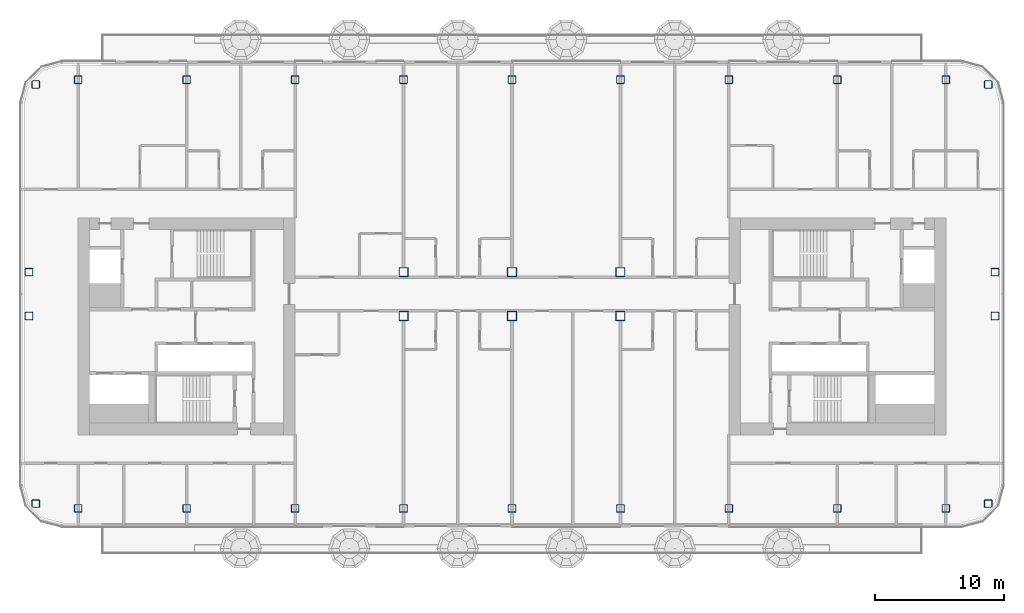
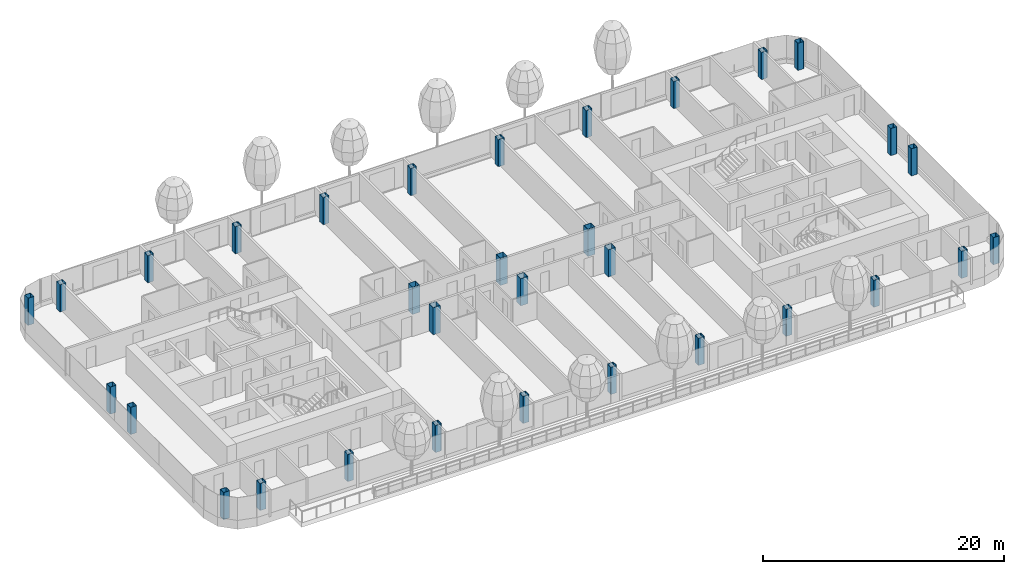
# One storey, part 1 of 28: 32 columns.
"""IFC4 building model written with IfcOpenShell, lengths in metres."""

from ifc_helpers import new_model, si_unit, direction, frame, origin, origin_2d, place, context, subcontext, project, spatial, hollow_rectangle, extrude, material, material_profile, profile_set, type_object, element, save


model = new_model("IFC4")

# Units and contexts
model_context = context("Model", 3, precision=1e-05, world=origin(), true_north=direction((0.0, 1.0)))
body_context = subcontext(model_context, "Body", "Model", "MODEL_VIEW")
ifc_project = project(units=[si_unit("LENGTHUNIT", "METRE"), si_unit("AREAUNIT", "SQUARE_METRE"), si_unit("VOLUMEUNIT", "CUBIC_METRE"), si_unit("PLANEANGLEUNIT", "RADIAN"), si_unit("MASSUNIT", "GRAM", prefix="KILO")], contexts=[model_context])

# Site, building, storey
site_placement = place(None, origin())
site = spatial("IfcSite", under=ifc_project, at=site_placement, CompositionType="ELEMENT")
building_placement = place(site_placement, origin())
building = spatial("IfcBuilding", under=site, at=building_placement, Name="Hakoniwa Tower and Hamabe Station Hall", CompositionType="ELEMENT")
storey_placement = place(building_placement, frame((0.0, 0.0, 193.0)))
storey = spatial("IfcBuildingStorey", under=building, at=storey_placement, Name="L54", CompositionType="ELEMENT", Elevation=193.0)

# Columns
ifc_material_1 = material(Name="Steel BCP325", Category="steel")
ifc_material_profile_1 = material_profile(ifc_material_1, hollow_rectangle(XDim=0.60009765625, YDim=0.60009765625, WallThickness=0.02490234375, InnerFilletRadius=0.03759765625, OuterFilletRadius=0.0625, at=origin_2d()), Name="BCP-600x600x25")
ifc_profile_set_1 = profile_set([ifc_material_profile_1], Name="Steel BCP325")
column_type_1 = type_object("IfcColumnType", Name="COLUMN BCP-600x600x25", PredefinedType="COLUMN", material=ifc_profile_set_1)
for number, where, z_axis, x_axis, name in (
    (1, (-36.877685546875, -13.728515625, 0.0), (0.0, 0.0, 1.0), (1.0, 0.0, 0.0), "Column B4-EW-A4"),
    (2, (-37.39990234375, 0.800048828125, 0.0), (0.0, 0.0, 1.0), (1.0, 0.0, 0.0), "Column B4-EW-C4"),
    (3, (-37.39990234375, 4.199951171875, 0.0), (0.0, 0.0, 1.0), (1.0, 0.0, 0.0), "Column B4-EW-D4"),
    (4, (-36.877685546875, 18.728515625, 0.0), (0.0, 0.0, 1.0), (1.0, 0.0, 0.0), "Column B4-EW-F4"),
    (5, (-33.60009765625, -14.10009765625, 0.0), (0.0, 0.0, 1.0), (1.0, 0.0, 0.0), "Column B4-3-A4"),
    (6, (-33.60009765625, 19.10009765625, 0.0), (0.0, 0.0, 1.0), (1.0, 0.0, 0.0), "Column B4-3-F4"),
    (7, (-25.199951171875, -14.10009765625, 0.0), (0.0, 0.0, 1.0), (1.0, 0.0, 0.0), "Column B4-4-A4"),
    (8, (-25.199951171875, 19.10009765625, 0.0), (0.0, 0.0, 1.0), (1.0, 0.0, 0.0), "Column B4-4-F4"),
    (9, (-16.800048828125, -14.10009765625, 0.0), (0.0, 0.0, 1.0), (1.0, 0.0, 0.0), "Column B4-5-A4"),
    (10, (-16.800048828125, 19.10009765625, 0.0), (0.0, 0.0, 1.0), (1.0, 0.0, 0.0), "Column B4-5-F4"),
    (11, (-8.39990234375, -14.10009765625, 0.0), (0.0, 0.0, 1.0), (1.0, 0.0, 0.0), "Column B4-6-A4"),
    (12, (-8.39990234375, 19.10009765625, 0.0), (0.0, 0.0, 1.0), (1.0, 0.0, 0.0), "Column B4-6-F4"),
    (13, (0.0, -14.10009765625, 0.0), (0.0, 0.0, 1.0), (1.0, 0.0, 0.0), "Column B4-7-A4"),
    (14, (0.0, 19.10009765625, 0.0), (0.0, 0.0, 1.0), (1.0, 0.0, 0.0), "Column B4-7-F4"),
    (15, (8.39990234375, -14.10009765625, 0.0), (0.0, 0.0, 1.0), (1.0, 0.0, 0.0), "Column B4-8-A4"),
    (16, (8.39990234375, 19.10009765625, 0.0), (0.0, 0.0, 1.0), (1.0, 0.0, 0.0), "Column B4-8-F4"),
    (17, (16.800048828125, -14.10009765625, 0.0), (0.0, 0.0, 1.0), (1.0, 0.0, 0.0), "Column B4-9-A4"),
    (18, (16.800048828125, 19.10009765625, 0.0), (0.0, 0.0, 1.0), (1.0, 0.0, 0.0), "Column B4-9-F4"),
    (19, (25.199951171875, -14.10009765625, 0.0), (0.0, 0.0, 1.0), (1.0, 0.0, 0.0), "Column B4-10-A4"),
    (20, (25.199951171875, 19.10009765625, 0.0), (0.0, 0.0, 1.0), (1.0, 0.0, 0.0), "Column B4-10-F4"),
    (21, (33.60009765625, -14.10009765625, 0.0), (0.0, 0.0, 1.0), (1.0, 0.0, 0.0), "Column B4-11-A4"),
    (22, (33.60009765625, 19.10009765625, 0.0), (0.0, 0.0, 1.0), (1.0, 0.0, 0.0), "Column B4-11-F4"),
    (23, (36.877685546875, -13.728515625, 0.0), (0.0, 0.0, 1.0), (1.0, 0.0, 0.0), "Column B4-EE-A4"),
    (24, (37.39990234375, 0.800048828125, 0.0), (0.0, 0.0, 1.0), (1.0, 0.0, 0.0), "Column B4-EE-C4"),
    (25, (37.39990234375, 4.199951171875, 0.0), (0.0, 0.0, 1.0), (1.0, 0.0, 0.0), "Column B4-EE-D4"),
    (26, (36.877685546875, 18.728515625, 0.0), (0.0, 0.0, 1.0), (1.0, 0.0, 0.0), "Column B4-EE-F4"),
):
    element("IfcColumn", number, at=place(storey_placement, frame(where, z_axis=z_axis, x_axis=x_axis)), inside=storey, type_object=column_type_1, Name=name, PredefinedType="COLUMN", context=body_context, shape_type="SweptSolid", body=[
        extrude(hollow_rectangle(XDim=0.60009765625, YDim=0.60009765625, WallThickness=0.02490234375, InnerFilletRadius=0.03759765625, OuterFilletRadius=0.0625, at=origin_2d()), origin(), (0.0, 0.0, 1.0), 2.75),
    ])
ifc_material_2 = material(Name="Steel SN490C", Category="steel")
ifc_material_profile_2 = material_profile(ifc_material_2, hollow_rectangle(XDim=0.699951171875, YDim=0.699951171875, WallThickness=0.028076171875, at=origin_2d()), Name="BX-700x700x28")
ifc_profile_set_2 = profile_set([ifc_material_profile_2], Name="Steel SN490C")
column_type_2 = type_object("IfcColumnType", Name="COLUMN BX-700x700x28", PredefinedType="COLUMN", material=ifc_profile_set_2)
for number, where, z_axis, x_axis, name in (
    (27, (-8.39990234375, 0.800048828125, 0.0), (0.0, 0.0, 1.0), (1.0, 0.0, 0.0), "Column B4-6-C4"),
    (28, (-8.39990234375, 4.199951171875, 0.0), (0.0, 0.0, 1.0), (1.0, 0.0, 0.0), "Column B4-6-D4"),
    (29, (0.0, 0.800048828125, 0.0), (0.0, 0.0, 1.0), (1.0, 0.0, 0.0), "Column B4-7-C4"),
    (30, (0.0, 4.199951171875, 0.0), (0.0, 0.0, 1.0), (1.0, 0.0, 0.0), "Column B4-7-D4"),
    (31, (8.39990234375, 0.800048828125, 0.0), (0.0, 0.0, 1.0), (1.0, 0.0, 0.0), "Column B4-8-C4"),
    (32, (8.39990234375, 4.199951171875, 0.0), (0.0, 0.0, 1.0), (1.0, 0.0, 0.0), "Column B4-8-D4"),
):
    element("IfcColumn", number, at=place(storey_placement, frame(where, z_axis=z_axis, x_axis=x_axis)), inside=storey, type_object=column_type_2, Name=name, PredefinedType="COLUMN", context=body_context, shape_type="SweptSolid", body=[
        extrude(hollow_rectangle(XDim=0.699951171875, YDim=0.699951171875, WallThickness=0.028076171875, at=origin_2d()), origin(), (0.0, 0.0, 1.0), 2.75),
    ])

save(model, "model.ifc")
